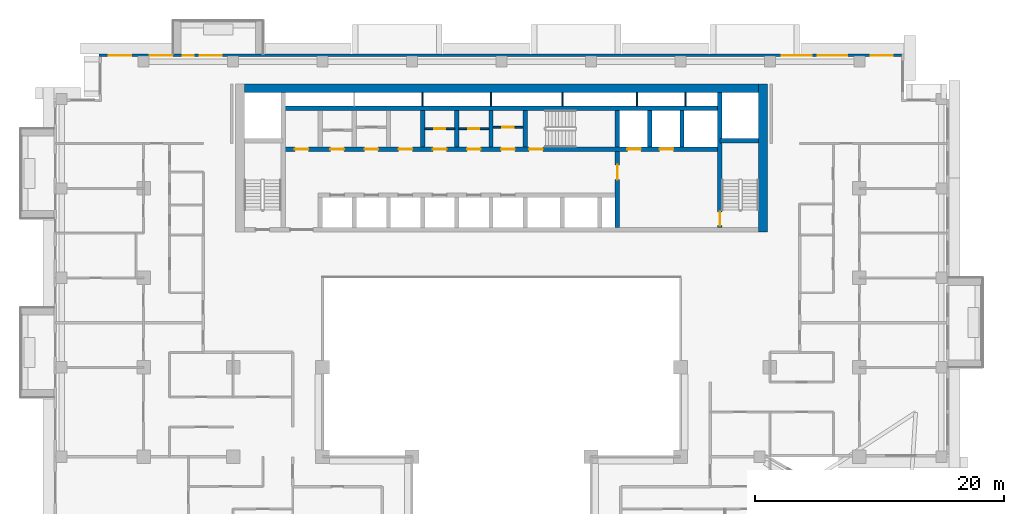
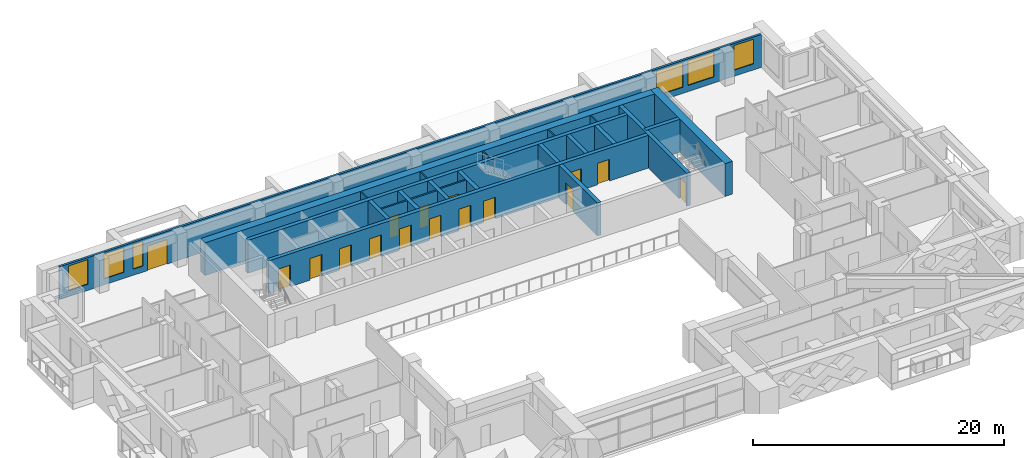
# One storey, part 11 of 20: 23 walls, 16 doors, 6 windows, 22 openings.
"""IFC4 building model written with IfcOpenShell, lengths in metres."""

from ifc_helpers import new_model, si_unit, direction, frame, frame_2d, origin, place, context, subcontext, project, spatial, rectangle, extrude, material, layer, layer_set, type_object, element, fill, save


model = new_model("IFC4")

# Units and contexts
model_context = context("Model", 3, precision=1e-05, world=origin(), true_north=direction((0.0, 1.0)))
body_context = subcontext(model_context, "Body", "Model", "MODEL_VIEW")
ifc_project = project(units=[si_unit("LENGTHUNIT", "METRE"), si_unit("AREAUNIT", "SQUARE_METRE"), si_unit("VOLUMEUNIT", "CUBIC_METRE"), si_unit("PLANEANGLEUNIT", "RADIAN"), si_unit("MASSUNIT", "GRAM", prefix="KILO")], contexts=[model_context])

# Site, building, storey
site_placement = place(None, origin())
site = spatial("IfcSite", under=ifc_project, at=site_placement, CompositionType="ELEMENT")
building_placement = place(site_placement, origin())
building = spatial("IfcBuilding", under=site, at=building_placement, Name="Saffron Iwan Residences", CompositionType="ELEMENT")
storey_placement = place(building_placement, frame((0.0, 0.0, 123.5)))
storey = spatial("IfcBuildingStorey", under=building, at=storey_placement, Name="L32", CompositionType="ELEMENT", Elevation=123.5)

# Wall, opening, door
ifc_material_1 = material(Name="Fire-rated plasterboard partition")
ifc_layer_1 = layer(ifc_material_1, 0.14990234375)
ifc_layer_set_1 = layer_set([ifc_layer_1], Name="Fire-rated plasterboard partition")
wall_type_1 = type_object("IfcWallType", Name="Core partition 150", PredefinedType="PARTITIONING", material=ifc_layer_set_1)
wall_1_placement = place(storey_placement, frame((44.22509765625, 74.39990234375, 0.0), z_axis=(0.0, 0.0, 1.0), x_axis=(1.0, 0.0, 0.0)))
wall_1 = element("IfcWall", 1, at=wall_1_placement, inside=storey, type_object=wall_type_1, Name="Core partition P03", PredefinedType="PARTITIONING", context=body_context, shape_type="SweptSolid", body=[
    extrude(rectangle(XDim=2.39990234375, YDim=0.14990234375, at=frame_2d((1.199951171875, 0.0))), origin(), (0.0, 0.0, 1.0), 3.199951171875),
])
opening_1_placement = place(wall_1_placement, frame((0.75, 0.0, 0.0)))
opening_1 = element("IfcOpeningElement", 2, at=opening_1_placement, cuts=wall_1, Name="Opening SB", PredefinedType="OPENING", context=body_context, shape_type="SweptSolid", body=[
    extrude(rectangle(XDim=0.89990234375, YDim=2.10009765625, at=frame_2d((0.449951171875, 1.050048828125))), frame((0.0, 0.0849609375, 0.0), z_axis=(0.0, -1.0, 0.0), x_axis=(1.0, 0.0, 0.0)), (0.0, 0.0, 1.0), 0.169921875),
])
ifc_material_2 = material(Name="Steel fire door", Category="steel")
door_type_1 = type_object("IfcDoorType", Name="Store door 900", OperationType="NOTDEFINED", PredefinedType="DOOR", material=ifc_material_2)
door_1_placement = place(opening_1_placement, origin())
door_1 = element("IfcDoor", 3, at=door_1_placement, inside=storey, type_object=door_type_1, Name="Door Equipment store", OperationType="SINGLE_SWING_RIGHT", OverallHeight=2.10009765625, OverallWidth=0.89990234375, PredefinedType="DOOR", context=body_context, shape_type="SweptSolid", body=[
    extrude(rectangle(XDim=0.89990234375, YDim=2.10009765625, at=frame_2d((0.449951171875, 1.050048828125))), frame((0.0, 0.02490234375, 0.0), z_axis=(0.0, -1.0, 0.0), x_axis=(1.0, 0.0, 0.0)), (0.0, 0.0, 1.0), 0.050048828125),
])
fill(opening_1, door_1)

wall_2_placement = place(storey_placement, frame((46.97509765625, 74.39990234375, 0.0), z_axis=(0.0, 0.0, 1.0), x_axis=(1.0, 0.0, 0.0)))
wall_2 = element("IfcWall", 4, at=wall_2_placement, inside=storey, type_object=wall_type_1, Name="Core partition P04", PredefinedType="PARTITIONING", context=body_context, shape_type="SweptSolid", body=[
    extrude(rectangle(XDim=2.39990234375, YDim=0.14990234375, at=frame_2d((1.199951171875, 0.0))), origin(), (0.0, 0.0, 1.0), 3.199951171875),
])
opening_2_placement = place(wall_2_placement, frame((0.75, 0.0, 0.0)))
opening_2 = element("IfcOpeningElement", 5, at=opening_2_placement, cuts=wall_2, Name="Opening SB", PredefinedType="OPENING", context=body_context, shape_type="SweptSolid", body=[
    extrude(rectangle(XDim=0.89990234375, YDim=2.10009765625, at=frame_2d((0.449951171875, 1.050048828125))), frame((0.0, 0.0849609375, 0.0), z_axis=(0.0, -1.0, 0.0), x_axis=(1.0, 0.0, 0.0)), (0.0, 0.0, 1.0), 0.169921875),
])
door_2_placement = place(opening_2_placement, origin())
door_2 = element("IfcDoor", 6, at=door_2_placement, inside=storey, type_object=door_type_1, Name="Door Mop store", OperationType="SINGLE_SWING_LEFT", OverallHeight=2.10009765625, OverallWidth=0.89990234375, PredefinedType="DOOR", context=body_context, shape_type="SweptSolid", body=[
    extrude(rectangle(XDim=0.89990234375, YDim=2.10009765625, at=frame_2d((0.449951171875, 1.050048828125))), frame((0.0, 0.02490234375, 0.0), z_axis=(0.0, -1.0, 0.0), x_axis=(1.0, 0.0, 0.0)), (0.0, 0.0, 1.0), 0.050048828125),
])
fill(opening_2, door_2)

wall_3_placement = place(storey_placement, frame((49.72509765625, 74.51806640625, 0.0), z_axis=(0.0, 0.0, 1.0), x_axis=(1.0, 0.0, 0.0)))
wall_3 = element("IfcWall", 7, at=wall_3_placement, inside=storey, type_object=wall_type_1, Name="Core partition P05", PredefinedType="PARTITIONING", context=body_context, shape_type="SweptSolid", body=[
    extrude(rectangle(XDim=2.39990234375, YDim=0.14990234375, at=frame_2d((1.199951171875, 0.0))), origin(), (0.0, 0.0, 1.0), 3.199951171875),
])
opening_3_placement = place(wall_3_placement, frame((0.75, 0.0, 0.0)))
opening_3 = element("IfcOpeningElement", 8, at=opening_3_placement, cuts=wall_3, Name="Opening SB", PredefinedType="OPENING", context=body_context, shape_type="SweptSolid", body=[
    extrude(rectangle(XDim=0.89990234375, YDim=2.10009765625, at=frame_2d((0.449951171875, 1.050048828125))), frame((0.0, 0.0849609375, 0.0), z_axis=(0.0, -1.0, 0.0), x_axis=(1.0, 0.0, 0.0)), (0.0, 0.0, 1.0), 0.169921875),
])
door_3_placement = place(opening_3_placement, origin())
door_3 = element("IfcDoor", 9, at=door_3_placement, inside=storey, type_object=door_type_1, Name="Door Spares store", OperationType="SINGLE_SWING_LEFT", OverallHeight=2.10009765625, OverallWidth=0.89990234375, PredefinedType="DOOR", context=body_context, shape_type="SweptSolid", body=[
    extrude(rectangle(XDim=0.89990234375, YDim=2.10009765625, at=frame_2d((0.449951171875, 1.050048828125))), frame((0.0, 0.02490234375, 0.0), z_axis=(0.0, -1.0, 0.0), x_axis=(1.0, 0.0, 0.0)), (0.0, 0.0, 1.0), 0.050048828125),
])
fill(opening_3, door_3)

# Wall, openings, door, windows
ifc_material_3 = material(Name="Concrete C40/50", Category="concrete")
ifc_layer_2 = layer(ifc_material_3, 0.199951171875)
ifc_layer_set_2 = layer_set([ifc_layer_2], Name="Concrete C40/50")
wall_type_2 = type_object("IfcWallType", Name="EXTERNAL WALL 200", PredefinedType="SOLIDWALL", material=ifc_layer_set_2)
wall_4_placement = place(storey_placement, frame((82.60009765625, 80.300048828125, 0.0), z_axis=(0.0, 0.0, 1.0), x_axis=(-1.0, 0.0, 0.0)))
wall_4 = element("IfcWall", 10, at=wall_4_placement, inside=storey, type_object=wall_type_2, Name="External wall L32 F5.0", PredefinedType="SOLIDWALL", context=body_context, shape_type="SweptSolid", body=[
    extrude(rectangle(XDim=64.60009765625, YDim=0.199951171875, at=frame_2d((32.300048828125, 0.0))), origin(), (0.0, 0.0, 1.0), 3.199951171875),
])
opening_4_placement = place(wall_4_placement, frame((54.699951171875, 0.0, 0.0)))
opening_4 = element("IfcOpeningElement", 11, at=opening_4_placement, cuts=wall_4, Name="Opening BD1", PredefinedType="OPENING", context=body_context, shape_type="SweptSolid", body=[
    extrude(rectangle(XDim=1.800048828125, YDim=2.39990234375, at=frame_2d((0.89990234375, 1.199951171875))), frame((0.0, 0.10986328125, 0.0), z_axis=(0.0, -1.0, 0.0), x_axis=(1.0, 0.0, 0.0)), (0.0, 0.0, 1.0), 0.219970703125),
])
opening_5_placement = place(wall_4_placement, frame((56.949951171875, 0.0, 0.60009765625)))
opening_5 = element("IfcOpeningElement", 12, at=opening_5_placement, cuts=wall_4, Name="Opening W10", PredefinedType="OPENING", context=body_context, shape_type="SweptSolid", body=[
    extrude(rectangle(XDim=0.89990234375, YDim=2.39990234375, at=frame_2d((0.449951171875, 1.199951171875))), frame((0.0, 0.10986328125, 0.0), z_axis=(0.0, -1.0, 0.0), x_axis=(1.0, 0.0, 0.0)), (0.0, 0.0, 1.0), 0.219970703125),
])
opening_6_placement = place(wall_4_placement, frame((58.699951171875, 0.0, 0.60009765625)))
opening_6 = element("IfcOpeningElement", 13, at=opening_6_placement, cuts=wall_4, Name="Opening W8", PredefinedType="OPENING", context=body_context, shape_type="SweptSolid", body=[
    extrude(rectangle(XDim=1.800048828125, YDim=2.39990234375, at=frame_2d((0.89990234375, 1.199951171875))), frame((0.0, 0.10986328125, 0.0), z_axis=(0.0, -1.0, 0.0), x_axis=(1.0, 0.0, 0.0)), (0.0, 0.0, 1.0), 0.219970703125),
])
opening_7_placement = place(wall_4_placement, frame((62.0, 0.0, 0.60009765625)))
opening_7 = element("IfcOpeningElement", 14, at=opening_7_placement, cuts=wall_4, Name="Opening W8", PredefinedType="OPENING", context=body_context, shape_type="SweptSolid", body=[
    extrude(rectangle(XDim=1.800048828125, YDim=2.39990234375, at=frame_2d((0.89990234375, 1.199951171875))), frame((0.0, 0.10986328125, 0.0), z_axis=(0.0, -1.0, 0.0), x_axis=(1.0, 0.0, 0.0)), (0.0, 0.0, 1.0), 0.219970703125),
])
opening_8_placement = place(wall_4_placement, frame((0.699951171875, 0.0, 0.60009765625)))
opening_8 = element("IfcOpeningElement", 15, at=opening_8_placement, cuts=wall_4, Name="Opening W8", PredefinedType="OPENING", context=body_context, shape_type="SweptSolid", body=[
    extrude(rectangle(XDim=1.800048828125, YDim=2.39990234375, at=frame_2d((0.89990234375, 1.199951171875))), frame((0.0, 0.10986328125, 0.0), z_axis=(0.0, -1.0, 0.0), x_axis=(1.0, 0.0, 0.0)), (0.0, 0.0, 1.0), 0.219970703125),
])
opening_9_placement = place(wall_4_placement, frame((4.36669921875, 0.0, 0.60009765625)))
opening_9 = element("IfcOpeningElement", 16, at=opening_9_placement, cuts=wall_4, Name="Opening W1", PredefinedType="OPENING", context=body_context, shape_type="SweptSolid", body=[
    extrude(rectangle(XDim=2.39990234375, YDim=2.39990234375, at=frame_2d((1.199951171875, 1.199951171875))), frame((0.0, 0.10986328125, 0.0), z_axis=(0.0, -1.0, 0.0), x_axis=(1.0, 0.0, 0.0)), (0.0, 0.0, 1.0), 0.219970703125),
])
opening_10_placement = place(wall_4_placement, frame((7.2333984375, 0.0, 0.60009765625)))
opening_10 = element("IfcOpeningElement", 17, at=opening_10_placement, cuts=wall_4, Name="Opening W1", PredefinedType="OPENING", context=body_context, shape_type="SweptSolid", body=[
    extrude(rectangle(XDim=2.39990234375, YDim=2.39990234375, at=frame_2d((1.199951171875, 1.199951171875))), frame((0.0, 0.10986328125, 0.0), z_axis=(0.0, -1.0, 0.0), x_axis=(1.0, 0.0, 0.0)), (0.0, 0.0, 1.0), 0.219970703125),
])
ifc_material_4 = material(Name="Clear glass, laminated double glazed", Category="glass")
door_type_2 = type_object("IfcDoorType", Name="BALCONY DOOR 1800 x 2400", OperationType="DOUBLE_DOOR_SLIDING", PredefinedType="DOOR", material=ifc_material_4)
door_4_placement = place(opening_4_placement, origin())
door_4 = element("IfcDoor", 18, at=door_4_placement, inside=storey, type_object=door_type_2, Name="Balcony door L32 F5.0", OperationType="DOUBLE_DOOR_SLIDING", OverallHeight=2.39990234375, OverallWidth=1.800048828125, PredefinedType="DOOR", context=body_context, shape_type="SweptSolid", body=[
    extrude(rectangle(XDim=1.800048828125, YDim=2.39990234375, at=frame_2d((0.89990234375, 1.199951171875))), frame((0.0, 0.02490234375, 0.0), z_axis=(0.0, -1.0, 0.0), x_axis=(1.0, 0.0, 0.0)), (0.0, 0.0, 1.0), 0.050048828125),
])
fill(opening_4, door_4)
window_type_1 = type_object("IfcWindowType", Name="WINDOW 1800 x 2400", PartitioningType="DOUBLE_PANEL_VERTICAL", PredefinedType="WINDOW", material=ifc_material_4)
window_1_placement = place(opening_6_placement, origin())
window_1 = element("IfcWindow", 19, at=window_1_placement, inside=storey, type_object=window_type_1, Name="Window L32 F5.2", OverallHeight=2.39990234375, OverallWidth=1.800048828125, PartitioningType="DOUBLE_PANEL_VERTICAL", PredefinedType="WINDOW", context=body_context, shape_type="SweptSolid", body=[
    extrude(rectangle(XDim=1.800048828125, YDim=2.39990234375, at=frame_2d((0.89990234375, 1.199951171875))), frame((0.0, 0.030029296875, 0.0), z_axis=(0.0, -1.0, 0.0), x_axis=(1.0, 0.0, 0.0)), (0.0, 0.0, 1.0), 0.06005859375),
])
fill(opening_6, window_1)
window_2_placement = place(opening_7_placement, origin())
window_2 = element("IfcWindow", 20, at=window_2_placement, inside=storey, type_object=window_type_1, Name="Window L32 F5.3", OverallHeight=2.39990234375, OverallWidth=1.800048828125, PartitioningType="DOUBLE_PANEL_VERTICAL", PredefinedType="WINDOW", context=body_context, shape_type="SweptSolid", body=[
    extrude(rectangle(XDim=1.800048828125, YDim=2.39990234375, at=frame_2d((0.89990234375, 1.199951171875))), frame((0.0, 0.030029296875, 0.0), z_axis=(0.0, -1.0, 0.0), x_axis=(1.0, 0.0, 0.0)), (0.0, 0.0, 1.0), 0.06005859375),
])
fill(opening_7, window_2)
window_3_placement = place(opening_8_placement, origin())
window_3 = element("IfcWindow", 21, at=window_3_placement, inside=storey, type_object=window_type_1, Name="Window L32 F5.4", OverallHeight=2.39990234375, OverallWidth=1.800048828125, PartitioningType="DOUBLE_PANEL_VERTICAL", PredefinedType="WINDOW", context=body_context, shape_type="SweptSolid", body=[
    extrude(rectangle(XDim=1.800048828125, YDim=2.39990234375, at=frame_2d((0.89990234375, 1.199951171875))), frame((0.0, 0.030029296875, 0.0), z_axis=(0.0, -1.0, 0.0), x_axis=(1.0, 0.0, 0.0)), (0.0, 0.0, 1.0), 0.06005859375),
])
fill(opening_8, window_3)
window_type_2 = type_object("IfcWindowType", Name="WINDOW 2400 x 2400", PartitioningType="DOUBLE_PANEL_VERTICAL", PredefinedType="WINDOW", material=ifc_material_4)
window_4_placement = place(opening_9_placement, origin())
window_4 = element("IfcWindow", 22, at=window_4_placement, inside=storey, type_object=window_type_2, Name="Window L32 F5.5", OverallHeight=2.39990234375, OverallWidth=2.39990234375, PartitioningType="DOUBLE_PANEL_VERTICAL", PredefinedType="WINDOW", context=body_context, shape_type="SweptSolid", body=[
    extrude(rectangle(XDim=2.39990234375, YDim=2.39990234375, at=frame_2d((1.199951171875, 1.199951171875))), frame((0.0, 0.030029296875, 0.0), z_axis=(0.0, -1.0, 0.0), x_axis=(1.0, 0.0, 0.0)), (0.0, 0.0, 1.0), 0.06005859375),
])
fill(opening_9, window_4)
window_5_placement = place(opening_10_placement, origin())
window_5 = element("IfcWindow", 23, at=window_5_placement, inside=storey, type_object=window_type_2, Name="Window L32 F5.6", OverallHeight=2.39990234375, OverallWidth=2.39990234375, PartitioningType="DOUBLE_PANEL_VERTICAL", PredefinedType="WINDOW", context=body_context, shape_type="SweptSolid", body=[
    extrude(rectangle(XDim=2.39990234375, YDim=2.39990234375, at=frame_2d((1.199951171875, 1.199951171875))), frame((0.0, 0.030029296875, 0.0), z_axis=(0.0, -1.0, 0.0), x_axis=(1.0, 0.0, 0.0)), (0.0, 0.0, 1.0), 0.06005859375),
])
fill(opening_10, window_5)
window_type_3 = type_object("IfcWindowType", Name="WINDOW 900 x 2400", PartitioningType="SINGLE_PANEL", PredefinedType="WINDOW", material=ifc_material_4)
window_6_placement = place(opening_5_placement, origin())
window_6 = element("IfcWindow", 24, at=window_6_placement, inside=storey, type_object=window_type_3, Name="Window L32 F5.1", OverallHeight=2.39990234375, OverallWidth=0.89990234375, PartitioningType="SINGLE_PANEL", PredefinedType="WINDOW", context=body_context, shape_type="SweptSolid", body=[
    extrude(rectangle(XDim=0.89990234375, YDim=2.39990234375, at=frame_2d((0.449951171875, 1.199951171875))), frame((0.0, 0.030029296875, 0.0), z_axis=(0.0, -1.0, 0.0), x_axis=(1.0, 0.0, 0.0)), (0.0, 0.0, 1.0), 0.06005859375),
])
fill(opening_5, window_6)

# Walls
ifc_layer_3 = layer(ifc_material_1, 0.10009765625)
ifc_layer_set_3 = layer_set([ifc_layer_3], Name="Fire-rated plasterboard partition")
wall_type_3 = type_object("IfcWallType", Name="Riser partition 100", PredefinedType="PARTITIONING", material=ifc_layer_set_3)
for number, where, z_axis, x_axis, name in (
    (25, (44.050048828125, 76.22509765625, 0.0), (0.0, 0.0, 1.0), (0.0, 1.0, 0.0), "Core partition P07"),
    (26, (49.550048828125, 76.22509765625, 0.0), (0.0, 0.0, 1.0), (0.0, 1.0, 0.0), "Core partition P08"),
    (27, (55.300048828125, 76.22509765625, 0.0), (0.0, 0.0, 1.0), (0.0, 1.0, 0.0), "Core partition P09"),
    (28, (61.300048828125, 76.22509765625, 0.0), (0.0, 0.0, 1.0), (0.0, 1.0, 0.0), "Core partition P10"),
    (29, (65.199951171875, 76.22509765625, 0.0), (0.0, 0.0, 1.0), (0.0, 1.0, 0.0), "Core partition P11"),
):
    element("IfcWall", number, at=place(storey_placement, frame(where, z_axis=z_axis, x_axis=x_axis)), inside=storey, type_object=wall_type_3, Name=name, PredefinedType="PARTITIONING", context=body_context, shape_type="SweptSolid", body=[
        extrude(rectangle(XDim=1.074951171875, YDim=0.10009765625, at=frame_2d((0.53759765625, 0.0))), origin(), (0.0, 0.0, 1.0), 3.199951171875),
    ])

# Wall, openings, doors
ifc_material_5 = material(Name="Concrete C50/60", Category="concrete")
ifc_layer_4 = layer(ifc_material_5, 0.35009765625)
ifc_layer_set_4 = layer_set([ifc_layer_4], Name="Concrete C50/60")
wall_type_4 = type_object("IfcWallType", Name="WALL CORE 350 C50/60 3200 HIGH", PredefinedType="SHEAR", material=ifc_layer_set_4)
wall_5_placement = place(storey_placement, frame((32.824951171875, 72.75, 0.0), z_axis=(0.0, 0.0, 1.0), x_axis=(1.0, 0.0, 0.0)))
wall_5 = element("IfcWall", 30, at=wall_5_placement, inside=storey, type_object=wall_type_4, Name="Core wall", PredefinedType="SHEAR", context=body_context, shape_type="SweptSolid", body=[
    extrude(rectangle(XDim=35.150146484375, YDim=0.35009765625, at=frame_2d((17.5751953125, 0.0))), origin(), (0.0, 0.0, 1.0), 3.199951171875),
])
opening_11_placement = place(wall_5_placement, frame((19.800048828125, 0.0, 0.0)))
opening_11 = element("IfcOpeningElement", 31, at=opening_11_placement, cuts=wall_5, Name="Opening SD", PredefinedType="OPENING", context=body_context, shape_type="SweptSolid", body=[
    extrude(rectangle(XDim=1.10009765625, YDim=2.10009765625, at=frame_2d((0.550048828125, 1.050048828125))), frame((0.0, 0.18505859375, 0.0), z_axis=(0.0, -1.0, 0.0), x_axis=(1.0, 0.0, 0.0)), (0.0, 0.0, 1.0), 0.3701171875),
])
opening_12_placement = place(wall_5_placement, frame((27.699951171875, 0.0, 0.0)))
opening_12 = element("IfcOpeningElement", 32, at=opening_12_placement, cuts=wall_5, Name="Opening LD", PredefinedType="OPENING", context=body_context, shape_type="SweptSolid", body=[
    extrude(rectangle(XDim=1.10009765625, YDim=2.10009765625, at=frame_2d((0.550048828125, 1.050048828125))), frame((0.0, 0.18505859375, 0.0), z_axis=(0.0, -1.0, 0.0), x_axis=(1.0, 0.0, 0.0)), (0.0, 0.0, 1.0), 0.3701171875),
])
opening_13_placement = place(wall_5_placement, frame((30.300048828125, 0.0, 0.0)))
opening_13 = element("IfcOpeningElement", 33, at=opening_13_placement, cuts=wall_5, Name="Opening LD", PredefinedType="OPENING", context=body_context, shape_type="SweptSolid", body=[
    extrude(rectangle(XDim=1.10009765625, YDim=2.10009765625, at=frame_2d((0.550048828125, 1.050048828125))), frame((0.0, 0.18505859375, 0.0), z_axis=(0.0, -1.0, 0.0), x_axis=(1.0, 0.0, 0.0)), (0.0, 0.0, 1.0), 0.3701171875),
])
opening_14_placement = place(wall_5_placement, frame((3.800048828125, 0.0, 0.0)))
opening_14 = element("IfcOpeningElement", 34, at=opening_14_placement, cuts=wall_5, Name="Opening SR", PredefinedType="OPENING", context=body_context, shape_type="SweptSolid", body=[
    extrude(rectangle(XDim=1.10009765625, YDim=2.10009765625, at=frame_2d((0.550048828125, 1.050048828125))), frame((0.0, 0.18505859375, 0.0), z_axis=(0.0, -1.0, 0.0), x_axis=(1.0, 0.0, 0.0)), (0.0, 0.0, 1.0), 0.3701171875),
])
opening_15_placement = place(wall_5_placement, frame((6.550048828125, 0.0, 0.0)))
opening_15 = element("IfcOpeningElement", 35, at=opening_15_placement, cuts=wall_5, Name="Opening SR", PredefinedType="OPENING", context=body_context, shape_type="SweptSolid", body=[
    extrude(rectangle(XDim=1.10009765625, YDim=2.10009765625, at=frame_2d((0.550048828125, 1.050048828125))), frame((0.0, 0.18505859375, 0.0), z_axis=(0.0, -1.0, 0.0), x_axis=(1.0, 0.0, 0.0)), (0.0, 0.0, 1.0), 0.3701171875),
])
opening_16_placement = place(wall_5_placement, frame((9.300048828125, 0.0, 0.0)))
opening_16 = element("IfcOpeningElement", 36, at=opening_16_placement, cuts=wall_5, Name="Opening SR", PredefinedType="OPENING", context=body_context, shape_type="SweptSolid", body=[
    extrude(rectangle(XDim=1.10009765625, YDim=2.10009765625, at=frame_2d((0.550048828125, 1.050048828125))), frame((0.0, 0.18505859375, 0.0), z_axis=(0.0, -1.0, 0.0), x_axis=(1.0, 0.0, 0.0)), (0.0, 0.0, 1.0), 0.3701171875),
])
opening_17_placement = place(wall_5_placement, frame((12.050048828125, 0.0, 0.0)))
opening_17 = element("IfcOpeningElement", 37, at=opening_17_placement, cuts=wall_5, Name="Opening SR", PredefinedType="OPENING", context=body_context, shape_type="SweptSolid", body=[
    extrude(rectangle(XDim=1.10009765625, YDim=2.10009765625, at=frame_2d((0.550048828125, 1.050048828125))), frame((0.0, 0.18505859375, 0.0), z_axis=(0.0, -1.0, 0.0), x_axis=(1.0, 0.0, 0.0)), (0.0, 0.0, 1.0), 0.3701171875),
])
opening_18_placement = place(wall_5_placement, frame((14.800048828125, 0.0, 0.0)))
opening_18 = element("IfcOpeningElement", 38, at=opening_18_placement, cuts=wall_5, Name="Opening SR", PredefinedType="OPENING", context=body_context, shape_type="SweptSolid", body=[
    extrude(rectangle(XDim=1.10009765625, YDim=2.10009765625, at=frame_2d((0.550048828125, 1.050048828125))), frame((0.0, 0.18505859375, 0.0), z_axis=(0.0, -1.0, 0.0), x_axis=(1.0, 0.0, 0.0)), (0.0, 0.0, 1.0), 0.3701171875),
])
opening_19_placement = place(wall_5_placement, frame((17.550048828125, 0.0, 0.0)))
opening_19 = element("IfcOpeningElement", 39, at=opening_19_placement, cuts=wall_5, Name="Opening SR", PredefinedType="OPENING", context=body_context, shape_type="SweptSolid", body=[
    extrude(rectangle(XDim=1.10009765625, YDim=2.10009765625, at=frame_2d((0.550048828125, 1.050048828125))), frame((0.0, 0.18505859375, 0.0), z_axis=(0.0, -1.0, 0.0), x_axis=(1.0, 0.0, 0.0)), (0.0, 0.0, 1.0), 0.3701171875),
])
opening_20_placement = place(wall_5_placement, frame((0.9375, 0.0, 0.0)))
opening_20 = element("IfcOpeningElement", 40, at=opening_20_placement, cuts=wall_5, Name="Opening SR", PredefinedType="OPENING", context=body_context, shape_type="SweptSolid", body=[
    extrude(rectangle(XDim=1.10009765625, YDim=2.10009765625, at=frame_2d((0.550048828125, 1.050048828125))), frame((0.0, 0.18505859375, 0.0), z_axis=(0.0, -1.0, 0.0), x_axis=(1.0, 0.0, 0.0)), (0.0, 0.0, 1.0), 0.3701171875),
])
door_type_3 = type_object("IfcDoorType", Name="Lift landing door 1100", OperationType="SLIDING_TO_LEFT", PredefinedType="DOOR", material=ifc_material_2)
door_5_placement = place(opening_12_placement, origin())
door_5 = element("IfcDoor", 41, at=door_5_placement, inside=storey, type_object=door_type_3, Name="Landing doors FF1", OperationType="SLIDING_TO_LEFT", OverallHeight=2.10009765625, OverallWidth=1.10009765625, PredefinedType="DOOR", context=body_context, shape_type="SweptSolid", body=[
    extrude(rectangle(XDim=1.10009765625, YDim=2.10009765625, at=frame_2d((0.550048828125, 1.050048828125))), frame((0.0, 0.02490234375, 0.0), z_axis=(0.0, -1.0, 0.0), x_axis=(1.0, 0.0, 0.0)), (0.0, 0.0, 1.0), 0.050048828125),
])
fill(opening_12, door_5)
door_6_placement = place(opening_13_placement, origin())
door_6 = element("IfcDoor", 42, at=door_6_placement, inside=storey, type_object=door_type_3, Name="Landing doors FF2", OperationType="SLIDING_TO_LEFT", OverallHeight=2.10009765625, OverallWidth=1.10009765625, PredefinedType="DOOR", context=body_context, shape_type="SweptSolid", body=[
    extrude(rectangle(XDim=1.10009765625, YDim=2.10009765625, at=frame_2d((0.550048828125, 1.050048828125))), frame((0.0, 0.02490234375, 0.0), z_axis=(0.0, -1.0, 0.0), x_axis=(1.0, 0.0, 0.0)), (0.0, 0.0, 1.0), 0.050048828125),
])
fill(opening_13, door_6)
door_type_4 = type_object("IfcDoorType", Name="Service door 1100", OperationType="NOTDEFINED", PredefinedType="DOOR", material=ifc_material_2)
door_7_placement = place(opening_14_placement, origin())
door_7 = element("IfcDoor", 43, at=door_7_placement, inside=storey, type_object=door_type_4, Name="Door Switch room", OperationType="SINGLE_SWING_LEFT", OverallHeight=2.10009765625, OverallWidth=1.10009765625, PredefinedType="DOOR", context=body_context, shape_type="SweptSolid", body=[
    extrude(rectangle(XDim=1.10009765625, YDim=2.10009765625, at=frame_2d((0.550048828125, 1.050048828125))), frame((0.0, 0.02490234375, 0.0), z_axis=(0.0, -1.0, 0.0), x_axis=(1.0, 0.0, 0.0)), (0.0, 0.0, 1.0), 0.050048828125),
])
fill(opening_14, door_7)
door_8_placement = place(opening_15_placement, origin())
door_8 = element("IfcDoor", 44, at=door_8_placement, inside=storey, type_object=door_type_4, Name="Door Furniture store", OperationType="SINGLE_SWING_RIGHT", OverallHeight=2.10009765625, OverallWidth=1.10009765625, PredefinedType="DOOR", context=body_context, shape_type="SweptSolid", body=[
    extrude(rectangle(XDim=1.10009765625, YDim=2.10009765625, at=frame_2d((0.550048828125, 1.050048828125))), frame((0.0, 0.02490234375, 0.0), z_axis=(0.0, -1.0, 0.0), x_axis=(1.0, 0.0, 0.0)), (0.0, 0.0, 1.0), 0.050048828125),
])
fill(opening_15, door_8)
door_9_placement = place(opening_16_placement, origin())
door_9 = element("IfcDoor", 45, at=door_9_placement, inside=storey, type_object=door_type_4, Name="Door Housekeeping store", OperationType="SINGLE_SWING_LEFT", OverallHeight=2.10009765625, OverallWidth=1.10009765625, PredefinedType="DOOR", context=body_context, shape_type="SweptSolid", body=[
    extrude(rectangle(XDim=1.10009765625, YDim=2.10009765625, at=frame_2d((0.550048828125, 1.050048828125))), frame((0.0, 0.02490234375, 0.0), z_axis=(0.0, -1.0, 0.0), x_axis=(1.0, 0.0, 0.0)), (0.0, 0.0, 1.0), 0.050048828125),
])
fill(opening_16, door_9)
door_10_placement = place(opening_17_placement, origin())
door_10 = element("IfcDoor", 46, at=door_10_placement, inside=storey, type_object=door_type_4, Name="Door Cleaner's store", OperationType="SINGLE_SWING_RIGHT", OverallHeight=2.10009765625, OverallWidth=1.10009765625, PredefinedType="DOOR", context=body_context, shape_type="SweptSolid", body=[
    extrude(rectangle(XDim=1.10009765625, YDim=2.10009765625, at=frame_2d((0.550048828125, 1.050048828125))), frame((0.0, 0.02490234375, 0.0), z_axis=(0.0, -1.0, 0.0), x_axis=(1.0, 0.0, 0.0)), (0.0, 0.0, 1.0), 0.050048828125),
])
fill(opening_17, door_10)
door_11_placement = place(opening_18_placement, origin())
door_11 = element("IfcDoor", 47, at=door_11_placement, inside=storey, type_object=door_type_4, Name="Door Trolley store", OperationType="SINGLE_SWING_LEFT", OverallHeight=2.10009765625, OverallWidth=1.10009765625, PredefinedType="DOOR", context=body_context, shape_type="SweptSolid", body=[
    extrude(rectangle(XDim=1.10009765625, YDim=2.10009765625, at=frame_2d((0.550048828125, 1.050048828125))), frame((0.0, 0.02490234375, 0.0), z_axis=(0.0, -1.0, 0.0), x_axis=(1.0, 0.0, 0.0)), (0.0, 0.0, 1.0), 0.050048828125),
])
fill(opening_18, door_11)
door_12_placement = place(opening_19_placement, origin())
door_12 = element("IfcDoor", 48, at=door_12_placement, inside=storey, type_object=door_type_4, Name="Door Communications room", OperationType="SINGLE_SWING_RIGHT", OverallHeight=2.10009765625, OverallWidth=1.10009765625, PredefinedType="DOOR", context=body_context, shape_type="SweptSolid", body=[
    extrude(rectangle(XDim=1.10009765625, YDim=2.10009765625, at=frame_2d((0.550048828125, 1.050048828125))), frame((0.0, 0.02490234375, 0.0), z_axis=(0.0, -1.0, 0.0), x_axis=(1.0, 0.0, 0.0)), (0.0, 0.0, 1.0), 0.050048828125),
])
fill(opening_19, door_12)
door_13_placement = place(opening_20_placement, origin())
door_13 = element("IfcDoor", 49, at=door_13_placement, inside=storey, type_object=door_type_4, Name="Door Meter room", OperationType="SINGLE_SWING_LEFT", OverallHeight=2.10009765625, OverallWidth=1.10009765625, PredefinedType="DOOR", context=body_context, shape_type="SweptSolid", body=[
    extrude(rectangle(XDim=1.10009765625, YDim=2.10009765625, at=frame_2d((0.550048828125, 1.050048828125))), frame((0.0, 0.02490234375, 0.0), z_axis=(0.0, -1.0, 0.0), x_axis=(1.0, 0.0, 0.0)), (0.0, 0.0, 1.0), 0.050048828125),
])
fill(opening_20, door_13)
door_type_5 = type_object("IfcDoorType", Name="Stair door 1100", OperationType="NOTDEFINED", PredefinedType="DOOR", material=ifc_material_2)
door_14_placement = place(opening_11_placement, origin())
door_14 = element("IfcDoor", 50, at=door_14_placement, inside=storey, type_object=door_type_5, Name="Stair door ST-C", OperationType="SINGLE_SWING_LEFT", OverallHeight=2.10009765625, OverallWidth=1.10009765625, PredefinedType="DOOR", context=body_context, shape_type="SweptSolid", body=[
    extrude(rectangle(XDim=1.10009765625, YDim=2.10009765625, at=frame_2d((0.550048828125, 1.050048828125))), frame((0.0, 0.02490234375, 0.0), z_axis=(0.0, -1.0, 0.0), x_axis=(1.0, 0.0, 0.0)), (0.0, 0.0, 1.0), 0.050048828125),
])
fill(opening_11, door_14)

# Walls
wall_6_placement = place(storey_placement, frame((32.824951171875, 76.050048828125, 0.0), z_axis=(0.0, 0.0, 1.0), x_axis=(1.0, 0.0, 0.0)))
element("IfcWall", 51, at=wall_6_placement, inside=storey, type_object=wall_type_4, Name="Core wall", PredefinedType="SHEAR", context=body_context, shape_type="SweptSolid", body=[
    extrude(rectangle(XDim=35.150146484375, YDim=0.35009765625, at=frame_2d((17.5751953125, 0.0))), origin(), (0.0, 0.0, 1.0), 3.199951171875),
])
wall_7_placement = place(storey_placement, frame((67.97509765625, 73.425048828125, 0.0), z_axis=(0.0, 0.0, 1.0), x_axis=(1.0, 0.0, 0.0)))
element("IfcWall", 52, at=wall_7_placement, inside=storey, type_object=wall_type_4, Name="Core wall", PredefinedType="SHEAR", context=body_context, shape_type="SweptSolid", body=[
    extrude(rectangle(XDim=3.125, YDim=0.35009765625, at=frame_2d((1.5625, 0.0))), origin(), (0.0, 0.0, 1.0), 3.199951171875),
])

# Wall, opening, door
wall_8_placement = place(storey_placement, frame((67.97509765625, 66.449951171875, 0.0), z_axis=(0.0, 0.0, 1.0), x_axis=(0.0, 1.0, 0.0)))
wall_8 = element("IfcWall", 53, at=wall_8_placement, inside=storey, type_object=wall_type_4, Name="Core wall", PredefinedType="SHEAR", context=body_context, shape_type="SweptSolid", body=[
    extrude(rectangle(XDim=10.85009765625, YDim=0.35009765625, at=frame_2d((5.425048828125, 0.0))), origin(), (0.0, 0.0, 1.0), 3.199951171875),
])
opening_21_placement = place(wall_8_placement, frame((0.14990234375, 0.0, 0.0)))
opening_21 = element("IfcOpeningElement", 54, at=opening_21_placement, cuts=wall_8, Name="Opening SD", PredefinedType="OPENING", context=body_context, shape_type="SweptSolid", body=[
    extrude(rectangle(XDim=1.10009765625, YDim=2.10009765625, at=frame_2d((0.550048828125, 1.050048828125))), frame((0.0, 0.18505859375, 0.0), z_axis=(0.0, -1.0, 0.0), x_axis=(1.0, 0.0, 0.0)), (0.0, 0.0, 1.0), 0.3701171875),
])
door_15_placement = place(opening_21_placement, origin())
door_15 = element("IfcDoor", 55, at=door_15_placement, inside=storey, type_object=door_type_5, Name="Stair door ST-E", OperationType="SINGLE_SWING_LEFT", OverallHeight=2.10009765625, OverallWidth=1.10009765625, PredefinedType="DOOR", context=body_context, shape_type="SweptSolid", body=[
    extrude(rectangle(XDim=1.10009765625, YDim=2.10009765625, at=frame_2d((0.550048828125, 1.050048828125))), frame((0.0, 0.02490234375, 0.0), z_axis=(0.0, -1.0, 0.0), x_axis=(1.0, 0.0, 0.0)), (0.0, 0.0, 1.0), 0.050048828125),
])
fill(opening_21, door_15)

wall_9_placement = place(storey_placement, frame((59.72509765625, 66.449951171875, 0.0), z_axis=(0.0, 0.0, 1.0), x_axis=(0.0, 1.0, 0.0)))
wall_9 = element("IfcWall", 56, at=wall_9_placement, inside=storey, type_object=wall_type_4, Name="Core wall", PredefinedType="SHEAR", context=body_context, shape_type="SweptSolid", body=[
    extrude(rectangle(XDim=6.125, YDim=0.35009765625, at=frame_2d((3.0625, 0.0))), origin(), (0.0, 0.0, 1.0), 3.199951171875),
])
opening_22_placement = place(wall_9_placement, frame((3.85009765625, 0.0, 0.0)))
opening_22 = element("IfcOpeningElement", 57, at=opening_22_placement, cuts=wall_9, Name="Opening FD", PredefinedType="OPENING", context=body_context, shape_type="SweptSolid", body=[
    extrude(rectangle(XDim=1.199951171875, YDim=2.10009765625, at=frame_2d((0.60009765625, 1.050048828125))), frame((0.0, 0.18505859375, 0.0), z_axis=(0.0, -1.0, 0.0), x_axis=(1.0, 0.0, 0.0)), (0.0, 0.0, 1.0), 0.3701171875),
])
door_type_6 = type_object("IfcDoorType", Name="Firefighting lobby door 1200", OperationType="NOTDEFINED", PredefinedType="DOOR", material=ifc_material_2)
door_16_placement = place(opening_22_placement, origin())
door_16 = element("IfcDoor", 58, at=door_16_placement, inside=storey, type_object=door_type_6, Name="Firefighting lobby door", OperationType="SINGLE_SWING_LEFT", OverallHeight=2.10009765625, OverallWidth=1.199951171875, PredefinedType="DOOR", context=body_context, shape_type="SweptSolid", body=[
    extrude(rectangle(XDim=1.199951171875, YDim=2.10009765625, at=frame_2d((0.60009765625, 1.050048828125))), frame((0.0, 0.02490234375, 0.0), z_axis=(0.0, -1.0, 0.0), x_axis=(1.0, 0.0, 0.0)), (0.0, 0.0, 1.0), 0.050048828125),
])
fill(opening_22, door_16)

# Walls
for number, where, z_axis, x_axis, name in (
    (59, (59.72509765625, 72.925048828125, 0.0), (0.0, 0.0, 1.0), (0.0, 1.0, 0.0), "Core wall"),
    (60, (44.050048828125, 72.925048828125, 0.0), (0.0, 0.0, 1.0), (0.0, 1.0, 0.0), "Core wall"),
    (61, (46.800048828125, 72.925048828125, 0.0), (0.0, 0.0, 1.0), (0.0, 1.0, 0.0), "Core wall"),
    (62, (49.550048828125, 72.925048828125, 0.0), (0.0, 0.0, 1.0), (0.0, 1.0, 0.0), "Core wall"),
    (63, (52.300048828125, 72.925048828125, 0.0), (0.0, 0.0, 1.0), (0.0, 1.0, 0.0), "Core wall"),
    (64, (62.324951171875, 72.925048828125, 0.0), (0.0, 0.0, 1.0), (0.0, 1.0, 0.0), "Core wall"),
    (65, (64.925048828125, 72.925048828125, 0.0), (0.0, 0.0, 1.0), (0.0, 1.0, 0.0), "Core wall"),
):
    element("IfcWall", number, at=place(storey_placement, frame(where, z_axis=z_axis, x_axis=x_axis)), inside=storey, type_object=wall_type_4, Name=name, PredefinedType="SHEAR", context=body_context, shape_type="SweptSolid", body=[
        extrude(rectangle(XDim=2.949951171875, YDim=0.35009765625, at=frame_2d((1.47509765625, 0.0))), origin(), (0.0, 0.0, 1.0), 3.199951171875),
    ])
ifc_layer_5 = layer(ifc_material_5, 0.699951171875)
ifc_layer_set_5 = layer_set([ifc_layer_5], Name="Concrete C50/60")
wall_type_5 = type_object("IfcWallType", Name="WALL CORE 700 C50/60 3200 HIGH", PredefinedType="SHEAR", material=ifc_layer_set_5)
wall_10_placement = place(storey_placement, frame((71.449951171875, 66.10009765625, 0.0), z_axis=(0.0, 0.0, 1.0), x_axis=(0.0, 1.0, 0.0)))
element("IfcWall", 66, at=wall_10_placement, inside=storey, type_object=wall_type_5, Name="Core wall", PredefinedType="SHEAR", context=body_context, shape_type="SweptSolid", body=[
    extrude(rectangle(XDim=11.89990234375, YDim=0.699951171875, at=frame_2d((5.949951171875, 0.0))), origin(), (0.0, 0.0, 1.0), 3.199951171875),
])
wall_11_placement = place(storey_placement, frame((29.699951171875, 77.64990234375, 0.0), z_axis=(0.0, 0.0, 1.0), x_axis=(1.0, 0.0, 0.0)))
element("IfcWall", 67, at=wall_11_placement, inside=storey, type_object=wall_type_5, Name="Core wall", PredefinedType="SHEAR", context=body_context, shape_type="SweptSolid", body=[
    extrude(rectangle(XDim=41.400146484375, YDim=0.699951171875, at=frame_2d((20.7001953125, 0.0))), origin(), (0.0, 0.0, 1.0), 3.199951171875),
])

save(model, "model.ifc")
